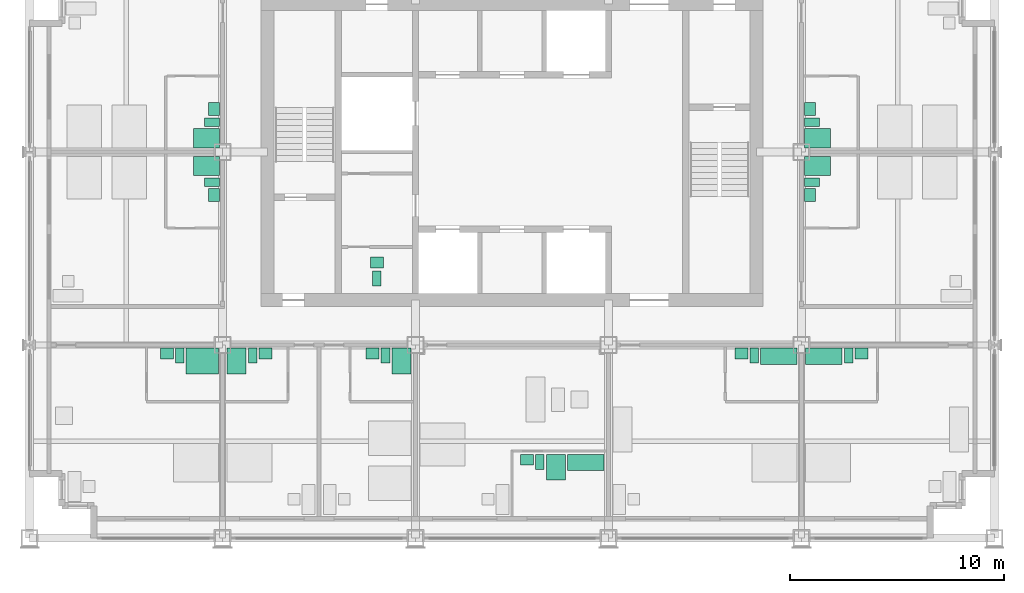
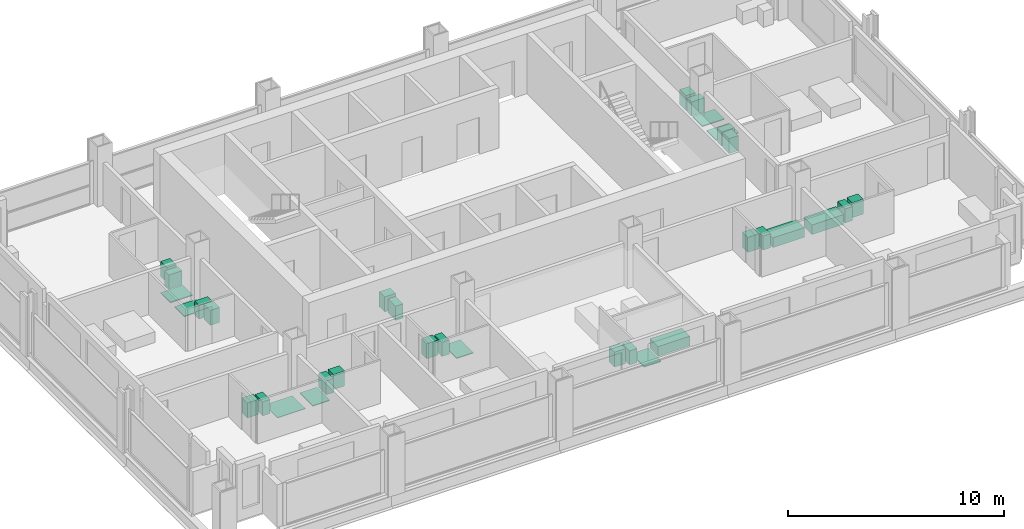
# One storey, part 12 of 13: 33 sanitary terminals.
"""IFC4 building model written with IfcOpenShell, lengths in metres."""

from ifc_helpers import new_model, si_unit, direction, frame, origin, origin_2d, place, context, subcontext, project, spatial, rectangle, extrude, element, save


model = new_model("IFC4")

# Units and contexts
model_context = context("Model", 3, precision=1e-05, world=origin(), true_north=direction((0.0, 1.0)))
body_context = subcontext(model_context, "Body", "Model", "MODEL_VIEW")
ifc_project = project(units=[si_unit("LENGTHUNIT", "METRE"), si_unit("AREAUNIT", "SQUARE_METRE"), si_unit("VOLUMEUNIT", "CUBIC_METRE"), si_unit("PLANEANGLEUNIT", "RADIAN"), si_unit("MASSUNIT", "GRAM", prefix="KILO")], contexts=[model_context])

# Site, building, storey
site_placement = place(None, origin())
site = spatial("IfcSite", under=ifc_project, at=site_placement, CompositionType="ELEMENT")
building_placement = place(site_placement, origin())
building = spatial("IfcBuilding", under=site, at=building_placement, Name="Loomwork Tower", CompositionType="ELEMENT")
storey_placement = place(building_placement, frame((0.0, 0.0, 191.0)))
storey = spatial("IfcBuildingStorey", under=building, at=storey_placement, Name="L52", CompositionType="ELEMENT", Elevation=191.0)

# Sanitary terminals
sanitary_terminal_1_placement = place(storey_placement, frame((8.050048828125, 8.25, 0.0), z_axis=(0.0, 0.0, 1.0), x_axis=(1.0, 0.0, 0.0)))
element("IfcSanitaryTerminal", 1, at=sanitary_terminal_1_placement, inside=storey, Name="Roll-in shower floor L52", PredefinedType="SHOWER", context=body_context, shape_type="SweptSolid", body=[
    extrude(rectangle(XDim=1.5, YDim=1.199951171875, at=origin_2d()), origin(), (0.0, 0.0, 1.0), 0.030029296875),
])
sanitary_terminal_2_placement = place(storey_placement, frame((7.0, 8.5, 0.0), z_axis=(0.0, 0.0, 1.0), x_axis=(1.0, 0.0, 0.0)))
element("IfcSanitaryTerminal", 2, at=sanitary_terminal_2_placement, inside=storey, Name="WC L52", PredefinedType="TOILETPAN", context=body_context, shape_type="SweptSolid", body=[
    extrude(rectangle(XDim=0.39990234375, YDim=0.699951171875, at=origin_2d()), origin(), (0.0, 0.0, 1.0), 0.800048828125),
])
sanitary_terminal_3_placement = place(storey_placement, frame((6.39990234375, 8.60009765625, 0.0), z_axis=(0.0, 0.0, 1.0), x_axis=(1.0, 0.0, 0.0)))
element("IfcSanitaryTerminal", 3, at=sanitary_terminal_3_placement, inside=storey, Name="Basin vanity L52", PredefinedType="WASHHANDBASIN", context=body_context, shape_type="SweptSolid", body=[
    extrude(rectangle(XDim=0.60009765625, YDim=0.5, at=origin_2d()), origin(), (0.0, 0.0, 1.0), 0.85009765625),
])
sanitary_terminal_4_placement = place(storey_placement, frame((9.64990234375, 8.25, 0.0), z_axis=(0.0, 0.0, 1.0), x_axis=(1.0, 0.0, 0.0)))
element("IfcSanitaryTerminal", 4, at=sanitary_terminal_4_placement, inside=storey, Name="Shower tray L52", PredefinedType="SHOWER", context=body_context, shape_type="SweptSolid", body=[
    extrude(rectangle(XDim=0.89990234375, YDim=1.199951171875, at=origin_2d()), origin(), (0.0, 0.0, 1.0), 0.050048828125),
])
sanitary_terminal_5_placement = place(storey_placement, frame((10.39990234375, 8.5, 0.0), z_axis=(0.0, 0.0, 1.0), x_axis=(1.0, 0.0, 0.0)))
element("IfcSanitaryTerminal", 5, at=sanitary_terminal_5_placement, inside=storey, Name="WC L52", PredefinedType="TOILETPAN", context=body_context, shape_type="SweptSolid", body=[
    extrude(rectangle(XDim=0.39990234375, YDim=0.699951171875, at=origin_2d()), origin(), (0.0, 0.0, 1.0), 0.800048828125),
])
sanitary_terminal_6_placement = place(storey_placement, frame((11.0, 8.60009765625, 0.0), z_axis=(0.0, 0.0, 1.0), x_axis=(1.0, 0.0, 0.0)))
element("IfcSanitaryTerminal", 6, at=sanitary_terminal_6_placement, inside=storey, Name="Basin vanity L52", PredefinedType="WASHHANDBASIN", context=body_context, shape_type="SweptSolid", body=[
    extrude(rectangle(XDim=0.60009765625, YDim=0.5, at=origin_2d()), origin(), (0.0, 0.0, 1.0), 0.85009765625),
])
sanitary_terminal_7_placement = place(storey_placement, frame((17.35009765625, 8.25, 0.0), z_axis=(0.0, 0.0, 1.0), x_axis=(1.0, 0.0, 0.0)))
element("IfcSanitaryTerminal", 7, at=sanitary_terminal_7_placement, inside=storey, Name="Shower tray L52", PredefinedType="SHOWER", context=body_context, shape_type="SweptSolid", body=[
    extrude(rectangle(XDim=0.89990234375, YDim=1.199951171875, at=origin_2d()), origin(), (0.0, 0.0, 1.0), 0.050048828125),
])
sanitary_terminal_8_placement = place(storey_placement, frame((16.60009765625, 8.5, 0.0), z_axis=(0.0, 0.0, 1.0), x_axis=(1.0, 0.0, 0.0)))
element("IfcSanitaryTerminal", 8, at=sanitary_terminal_8_placement, inside=storey, Name="WC L52", PredefinedType="TOILETPAN", context=body_context, shape_type="SweptSolid", body=[
    extrude(rectangle(XDim=0.39990234375, YDim=0.699951171875, at=origin_2d()), origin(), (0.0, 0.0, 1.0), 0.800048828125),
])
sanitary_terminal_9_placement = place(storey_placement, frame((16.0, 8.60009765625, 0.0), z_axis=(0.0, 0.0, 1.0), x_axis=(1.0, 0.0, 0.0)))
element("IfcSanitaryTerminal", 9, at=sanitary_terminal_9_placement, inside=storey, Name="Basin vanity L52", PredefinedType="WASHHANDBASIN", context=body_context, shape_type="SweptSolid", body=[
    extrude(rectangle(XDim=0.60009765625, YDim=0.5, at=origin_2d()), origin(), (0.0, 0.0, 1.0), 0.85009765625),
])
sanitary_terminal_10_placement = place(storey_placement, frame((25.949951171875, 3.52490234375, 0.0), z_axis=(0.0, 0.0, 1.0), x_axis=(1.0, 0.0, 0.0)))
element("IfcSanitaryTerminal", 10, at=sanitary_terminal_10_placement, inside=storey, Name="Bath L52", PredefinedType="BATH", context=body_context, shape_type="SweptSolid", body=[
    extrude(rectangle(XDim=1.699951171875, YDim=0.75, at=origin_2d()), origin(), (0.0, 0.0, 1.0), 0.550048828125),
])
sanitary_terminal_11_placement = place(storey_placement, frame((24.550048828125, 3.300048828125, 0.0), z_axis=(0.0, 0.0, 1.0), x_axis=(1.0, 0.0, 0.0)))
element("IfcSanitaryTerminal", 11, at=sanitary_terminal_11_placement, inside=storey, Name="Shower tray L52", PredefinedType="SHOWER", context=body_context, shape_type="SweptSolid", body=[
    extrude(rectangle(XDim=0.89990234375, YDim=1.199951171875, at=origin_2d()), origin(), (0.0, 0.0, 1.0), 0.050048828125),
])
sanitary_terminal_12_placement = place(storey_placement, frame((23.800048828125, 3.550048828125, 0.0), z_axis=(0.0, 0.0, 1.0), x_axis=(1.0, 0.0, 0.0)))
element("IfcSanitaryTerminal", 12, at=sanitary_terminal_12_placement, inside=storey, Name="WC L52", PredefinedType="TOILETPAN", context=body_context, shape_type="SweptSolid", body=[
    extrude(rectangle(XDim=0.39990234375, YDim=0.699951171875, at=origin_2d()), origin(), (0.0, 0.0, 1.0), 0.800048828125),
])
sanitary_terminal_13_placement = place(storey_placement, frame((23.199951171875, 3.64990234375, 0.0), z_axis=(0.0, 0.0, 1.0), x_axis=(1.0, 0.0, 0.0)))
element("IfcSanitaryTerminal", 13, at=sanitary_terminal_13_placement, inside=storey, Name="Basin vanity L52", PredefinedType="WASHHANDBASIN", context=body_context, shape_type="SweptSolid", body=[
    extrude(rectangle(XDim=0.60009765625, YDim=0.5, at=origin_2d()), origin(), (0.0, 0.0, 1.0), 0.85009765625),
])
sanitary_terminal_14_placement = place(storey_placement, frame((34.949951171875, 8.47509765625, 0.0), z_axis=(0.0, 0.0, 1.0), x_axis=(1.0, 0.0, 0.0)))
element("IfcSanitaryTerminal", 14, at=sanitary_terminal_14_placement, inside=storey, Name="Bath L52", PredefinedType="BATH", context=body_context, shape_type="SweptSolid", body=[
    extrude(rectangle(XDim=1.699951171875, YDim=0.75, at=origin_2d()), origin(), (0.0, 0.0, 1.0), 0.550048828125),
])
sanitary_terminal_15_placement = place(storey_placement, frame((33.800048828125, 8.5, 0.0), z_axis=(0.0, 0.0, 1.0), x_axis=(1.0, 0.0, 0.0)))
element("IfcSanitaryTerminal", 15, at=sanitary_terminal_15_placement, inside=storey, Name="WC L52", PredefinedType="TOILETPAN", context=body_context, shape_type="SweptSolid", body=[
    extrude(rectangle(XDim=0.39990234375, YDim=0.699951171875, at=origin_2d()), origin(), (0.0, 0.0, 1.0), 0.800048828125),
])
sanitary_terminal_16_placement = place(storey_placement, frame((33.199951171875, 8.60009765625, 0.0), z_axis=(0.0, 0.0, 1.0), x_axis=(1.0, 0.0, 0.0)))
element("IfcSanitaryTerminal", 16, at=sanitary_terminal_16_placement, inside=storey, Name="Basin vanity L52", PredefinedType="WASHHANDBASIN", context=body_context, shape_type="SweptSolid", body=[
    extrude(rectangle(XDim=0.60009765625, YDim=0.5, at=origin_2d()), origin(), (0.0, 0.0, 1.0), 0.85009765625),
])
sanitary_terminal_17_placement = place(storey_placement, frame((37.050048828125, 8.47509765625, 0.0), z_axis=(0.0, 0.0, 1.0), x_axis=(1.0, 0.0, 0.0)))
element("IfcSanitaryTerminal", 17, at=sanitary_terminal_17_placement, inside=storey, Name="Bath L52", PredefinedType="BATH", context=body_context, shape_type="SweptSolid", body=[
    extrude(rectangle(XDim=1.699951171875, YDim=0.75, at=origin_2d()), origin(), (0.0, 0.0, 1.0), 0.550048828125),
])
sanitary_terminal_18_placement = place(storey_placement, frame((38.199951171875, 8.5, 0.0), z_axis=(0.0, 0.0, 1.0), x_axis=(1.0, 0.0, 0.0)))
element("IfcSanitaryTerminal", 18, at=sanitary_terminal_18_placement, inside=storey, Name="WC L52", PredefinedType="TOILETPAN", context=body_context, shape_type="SweptSolid", body=[
    extrude(rectangle(XDim=0.39990234375, YDim=0.699951171875, at=origin_2d()), origin(), (0.0, 0.0, 1.0), 0.800048828125),
])
sanitary_terminal_19_placement = place(storey_placement, frame((38.800048828125, 8.60009765625, 0.0), z_axis=(0.0, 0.0, 1.0), x_axis=(1.0, 0.0, 0.0)))
element("IfcSanitaryTerminal", 19, at=sanitary_terminal_19_placement, inside=storey, Name="Basin vanity L52", PredefinedType="WASHHANDBASIN", context=body_context, shape_type="SweptSolid", body=[
    extrude(rectangle(XDim=0.60009765625, YDim=0.5, at=origin_2d()), origin(), (0.0, 0.0, 1.0), 0.85009765625),
])
sanitary_terminal_20_placement = place(storey_placement, frame((8.25, 17.35009765625, 0.0), z_axis=(0.0, 0.0, 1.0), x_axis=(1.0, 0.0, 0.0)))
element("IfcSanitaryTerminal", 20, at=sanitary_terminal_20_placement, inside=storey, Name="Shower tray L52", PredefinedType="SHOWER", context=body_context, shape_type="SweptSolid", body=[
    extrude(rectangle(XDim=1.199951171875, YDim=0.89990234375, at=origin_2d()), origin(), (0.0, 0.0, 1.0), 0.050048828125),
])
sanitary_terminal_21_placement = place(storey_placement, frame((8.5, 16.60009765625, 0.0), z_axis=(0.0, 0.0, 1.0), x_axis=(1.0, 0.0, 0.0)))
element("IfcSanitaryTerminal", 21, at=sanitary_terminal_21_placement, inside=storey, Name="WC L52", PredefinedType="TOILETPAN", context=body_context, shape_type="SweptSolid", body=[
    extrude(rectangle(XDim=0.699951171875, YDim=0.39990234375, at=origin_2d()), origin(), (0.0, 0.0, 1.0), 0.800048828125),
])
sanitary_terminal_22_placement = place(storey_placement, frame((8.60009765625, 16.0, 0.0), z_axis=(0.0, 0.0, 1.0), x_axis=(1.0, 0.0, 0.0)))
element("IfcSanitaryTerminal", 22, at=sanitary_terminal_22_placement, inside=storey, Name="Basin vanity L52", PredefinedType="WASHHANDBASIN", context=body_context, shape_type="SweptSolid", body=[
    extrude(rectangle(XDim=0.5, YDim=0.60009765625, at=origin_2d()), origin(), (0.0, 0.0, 1.0), 0.85009765625),
])
sanitary_terminal_23_placement = place(storey_placement, frame((8.25, 18.64990234375, 0.0), z_axis=(0.0, 0.0, 1.0), x_axis=(1.0, 0.0, 0.0)))
element("IfcSanitaryTerminal", 23, at=sanitary_terminal_23_placement, inside=storey, Name="Shower tray L52", PredefinedType="SHOWER", context=body_context, shape_type="SweptSolid", body=[
    extrude(rectangle(XDim=1.199951171875, YDim=0.89990234375, at=origin_2d()), origin(), (0.0, 0.0, 1.0), 0.050048828125),
])
sanitary_terminal_24_placement = place(storey_placement, frame((8.5, 19.39990234375, 0.0), z_axis=(0.0, 0.0, 1.0), x_axis=(1.0, 0.0, 0.0)))
element("IfcSanitaryTerminal", 24, at=sanitary_terminal_24_placement, inside=storey, Name="WC L52", PredefinedType="TOILETPAN", context=body_context, shape_type="SweptSolid", body=[
    extrude(rectangle(XDim=0.699951171875, YDim=0.39990234375, at=origin_2d()), origin(), (0.0, 0.0, 1.0), 0.800048828125),
])
sanitary_terminal_25_placement = place(storey_placement, frame((8.60009765625, 20.0, 0.0), z_axis=(0.0, 0.0, 1.0), x_axis=(1.0, 0.0, 0.0)))
element("IfcSanitaryTerminal", 25, at=sanitary_terminal_25_placement, inside=storey, Name="Basin vanity L52", PredefinedType="WASHHANDBASIN", context=body_context, shape_type="SweptSolid", body=[
    extrude(rectangle(XDim=0.5, YDim=0.60009765625, at=origin_2d()), origin(), (0.0, 0.0, 1.0), 0.85009765625),
])
sanitary_terminal_26_placement = place(storey_placement, frame((36.75, 17.35009765625, 0.0), z_axis=(0.0, 0.0, 1.0), x_axis=(1.0, 0.0, 0.0)))
element("IfcSanitaryTerminal", 26, at=sanitary_terminal_26_placement, inside=storey, Name="Shower tray L52", PredefinedType="SHOWER", context=body_context, shape_type="SweptSolid", body=[
    extrude(rectangle(XDim=1.199951171875, YDim=0.89990234375, at=origin_2d()), origin(), (0.0, 0.0, 1.0), 0.050048828125),
])
sanitary_terminal_27_placement = place(storey_placement, frame((36.5, 16.60009765625, 0.0), z_axis=(0.0, 0.0, 1.0), x_axis=(1.0, 0.0, 0.0)))
element("IfcSanitaryTerminal", 27, at=sanitary_terminal_27_placement, inside=storey, Name="WC L52", PredefinedType="TOILETPAN", context=body_context, shape_type="SweptSolid", body=[
    extrude(rectangle(XDim=0.699951171875, YDim=0.39990234375, at=origin_2d()), origin(), (0.0, 0.0, 1.0), 0.800048828125),
])
sanitary_terminal_28_placement = place(storey_placement, frame((36.39990234375, 16.0, 0.0), z_axis=(0.0, 0.0, 1.0), x_axis=(1.0, 0.0, 0.0)))
element("IfcSanitaryTerminal", 28, at=sanitary_terminal_28_placement, inside=storey, Name="Basin vanity L52", PredefinedType="WASHHANDBASIN", context=body_context, shape_type="SweptSolid", body=[
    extrude(rectangle(XDim=0.5, YDim=0.60009765625, at=origin_2d()), origin(), (0.0, 0.0, 1.0), 0.85009765625),
])
sanitary_terminal_29_placement = place(storey_placement, frame((36.75, 18.64990234375, 0.0), z_axis=(0.0, 0.0, 1.0), x_axis=(1.0, 0.0, 0.0)))
element("IfcSanitaryTerminal", 29, at=sanitary_terminal_29_placement, inside=storey, Name="Shower tray L52", PredefinedType="SHOWER", context=body_context, shape_type="SweptSolid", body=[
    extrude(rectangle(XDim=1.199951171875, YDim=0.89990234375, at=origin_2d()), origin(), (0.0, 0.0, 1.0), 0.050048828125),
])
sanitary_terminal_30_placement = place(storey_placement, frame((36.5, 19.39990234375, 0.0), z_axis=(0.0, 0.0, 1.0), x_axis=(1.0, 0.0, 0.0)))
element("IfcSanitaryTerminal", 30, at=sanitary_terminal_30_placement, inside=storey, Name="WC L52", PredefinedType="TOILETPAN", context=body_context, shape_type="SweptSolid", body=[
    extrude(rectangle(XDim=0.699951171875, YDim=0.39990234375, at=origin_2d()), origin(), (0.0, 0.0, 1.0), 0.800048828125),
])
sanitary_terminal_31_placement = place(storey_placement, frame((36.39990234375, 20.0, 0.0), z_axis=(0.0, 0.0, 1.0), x_axis=(1.0, 0.0, 0.0)))
element("IfcSanitaryTerminal", 31, at=sanitary_terminal_31_placement, inside=storey, Name="Basin vanity L52", PredefinedType="WASHHANDBASIN", context=body_context, shape_type="SweptSolid", body=[
    extrude(rectangle(XDim=0.5, YDim=0.60009765625, at=origin_2d()), origin(), (0.0, 0.0, 1.0), 0.85009765625),
])
sanitary_terminal_32_placement = place(storey_placement, frame((16.199951171875, 12.10009765625, 0.0), z_axis=(0.0, 0.0, 1.0), x_axis=(1.0, 0.0, 0.0)))
element("IfcSanitaryTerminal", 32, at=sanitary_terminal_32_placement, inside=storey, Name="WC L52", PredefinedType="TOILETPAN", context=body_context, shape_type="SweptSolid", body=[
    extrude(rectangle(XDim=0.39990234375, YDim=0.699951171875, at=origin_2d()), origin(), (0.0, 0.0, 1.0), 0.800048828125),
])
sanitary_terminal_33_placement = place(storey_placement, frame((16.199951171875, 12.85009765625, 0.0), z_axis=(0.0, 0.0, 1.0), x_axis=(1.0, 0.0, 0.0)))
element("IfcSanitaryTerminal", 33, at=sanitary_terminal_33_placement, inside=storey, Name="Basin L52", PredefinedType="WASHHANDBASIN", context=body_context, shape_type="SweptSolid", body=[
    extrude(rectangle(XDim=0.60009765625, YDim=0.5, at=origin_2d()), origin(), (0.0, 0.0, 1.0), 0.85009765625),
])

save(model, "model.ifc")
